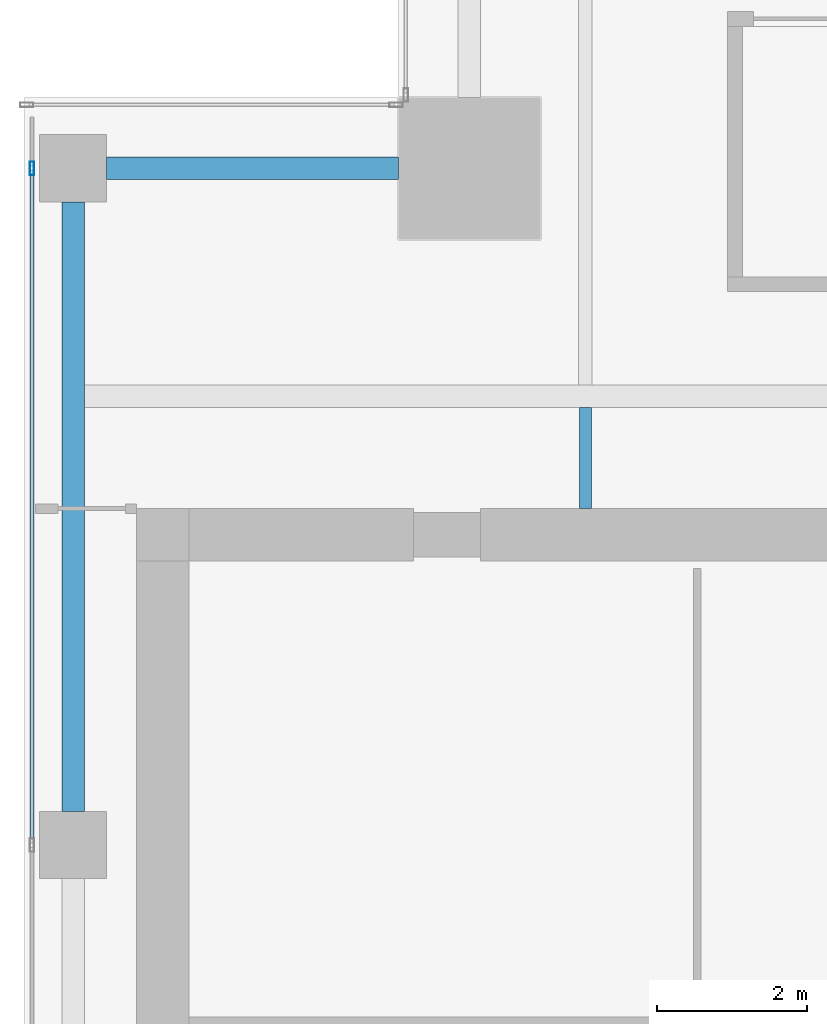
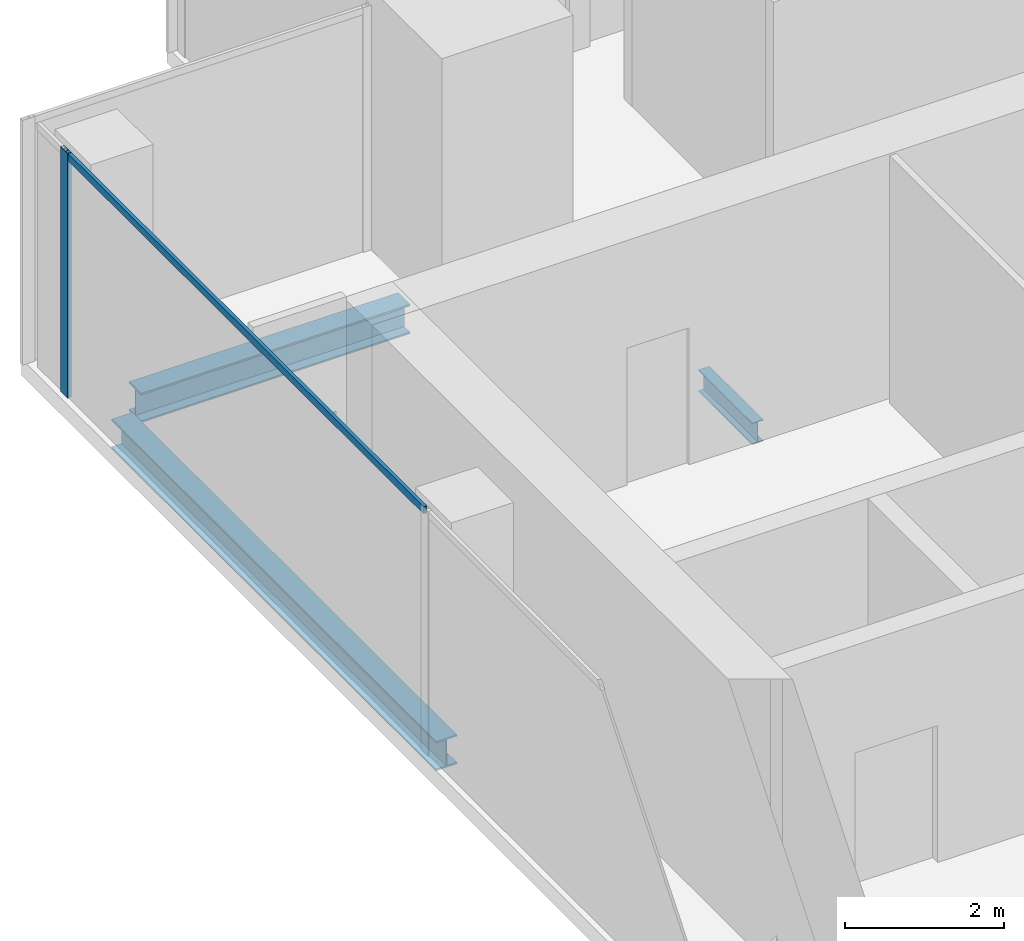
# One storey, part 16 of 36: 3 beams, 2 members, 1 element without a shape of its own.
"""IFC4 building model written with IfcOpenShell, lengths in metres."""

import ifcopenshell
import ifcopenshell.guid

model = None  # the IFC model being written
_history = None  # IfcOwnerHistory: only IFC2X3 demands one
_inside = {}  # id of a spatial element -> (the spatial element, [elements in it])
_under = {}  # id of a project, library or spatial element -> (it, [spatial elements below it])
_declared = {}  # id of a project -> (the project, [libraries it declares])
_typed = {}  # id of a type object -> (the type object, [elements of that type])
_made_of = {}  # id of a material, layer set ... -> (it, [elements and type objects made of it])


def new_model(schema):
    """Start an empty IFC model of exactly this schema.

    Asked for "IFC4X3", IfcOpenShell would pick the latest addendum, in which some entities
    have other attributes; the version numbers below select the first issue.
    IFC2X3 requires an IfcOwnerHistory on every rooted entity: one is made here for all.
    """
    global model, _history
    if schema == "IFC4X3":
        model = ifcopenshell.file(schema_version=(4, 3, 0, 0))
    else:
        model = ifcopenshell.file(schema=schema)
    _inside.clear()
    _under.clear()
    _declared.clear()
    _typed.clear()
    _made_of.clear()
    _history = None
    if model.schema == "IFC2X3":
        org = make("IfcOrganization", Name="unknown")
        user = make(
            "IfcPersonAndOrganization",
            ThePerson=make("IfcPerson", FamilyName="unknown"),
            TheOrganization=org,
        )
        app = make(
            "IfcApplication",
            ApplicationDeveloper=org,
            Version="unknown",
            ApplicationFullName="unknown",
            ApplicationIdentifier="unknown",
        )
        _history = make(
            "IfcOwnerHistory",
            OwningUser=user,
            OwningApplication=app,
            ChangeAction="ADDED",
            CreationDate=0,
        )
    return model


def make(cls, **values):
    """One entity of the class cls with the attributes given. An attribute that is None is left unset."""
    return model.create_entity(
        cls, **{name: value for name, value in values.items() if value is not None}
    )


def rooted(cls, **values):
    """An entity with a GlobalId (a new one), such as an element, a storey or a relation."""
    return make(cls, GlobalId=ifcopenshell.guid.new(), OwnerHistory=_history, **values)


def si_unit(unit_type, name, prefix=None):
    """IfcSIUnit, for example si_unit("LENGTHUNIT", "METRE", prefix="MILLI")."""
    return make("IfcSIUnit", UnitType=unit_type, Prefix=prefix, Name=name)


def assignment(units):
    """IfcUnitAssignment: the units of a project."""
    return None if units is None else make("IfcUnitAssignment", Units=units)


def point(xyz):
    """IfcCartesianPoint."""
    return None if xyz is None else make("IfcCartesianPoint", Coordinates=xyz)


def direction(xyz):
    """IfcDirection."""
    return None if xyz is None else make("IfcDirection", DirectionRatios=xyz)


def frame(location, z_axis=None, x_axis=None):
    """IfcAxis2Placement3D, a coordinate frame: its origin and axes. An axis left out is left unset."""
    return make(
        "IfcAxis2Placement3D",
        Location=point(location),
        Axis=direction(z_axis),
        RefDirection=direction(x_axis),
    )


def frame_2d(location, x_axis=None):
    """IfcAxis2Placement2D, a coordinate frame in the plane: its origin and x axis."""
    return make(
        "IfcAxis2Placement2D", Location=point(location), RefDirection=direction(x_axis)
    )


def origin():
    """The frame at (0, 0, 0) with its axes left unset."""
    return frame((0.0, 0.0, 0.0))


def origin_2d():
    """The frame at (0, 0) in the plane with its x axis left unset."""
    return frame_2d((0.0, 0.0))


def place(relative_to, where):
    """IfcLocalPlacement: puts the frame where relative to a parent placement (None: the world)."""
    return make(
        "IfcLocalPlacement", PlacementRelTo=relative_to, RelativePlacement=where
    )


def context(
    kind, dimensions, precision=None, world=None, true_north=None, identifier=None
):
    """IfcGeometricRepresentationContext, for example the 3D "Model" context."""
    return make(
        "IfcGeometricRepresentationContext",
        ContextIdentifier=identifier,
        ContextType=kind,
        CoordinateSpaceDimension=dimensions,
        Precision=precision,
        WorldCoordinateSystem=world,
        TrueNorth=true_north,
    )


def subcontext(parent, identifier, kind, view, scale=None):
    """IfcGeometricRepresentationSubContext, for example "Body" below "Model"."""
    return make(
        "IfcGeometricRepresentationSubContext",
        ContextIdentifier=identifier,
        ContextType=kind,
        ParentContext=parent,
        TargetScale=scale,
        TargetView=view,
    )


def project(units=None, contexts=None):
    """IfcProject with its units and contexts."""
    return rooted(
        "IfcProject",
        Name="project",
        RepresentationContexts=contexts,
        UnitsInContext=assignment(units),
    )


def spatial(cls, under=None, at=None, **own):
    """A site, building, storey or space (cls), placed at a placement, below another one or the project."""
    s = rooted(cls, ObjectPlacement=at, **own)
    if under is not None:
        _under.setdefault(under.id(), (under, []))[1].append(s)
    return s


def profile(cls, at=None, kind="AREA", **sizes):
    """A parametric profile (cls). Its sizes go by their IFC names, for example OverallWidth=200.0."""
    return make(cls, ProfileType=kind, Position=at, **sizes)


def hollow_rectangle(**sizes):
    """IfcRectangleHollowProfileDef."""
    return profile("IfcRectangleHollowProfileDef", **sizes)


def i_section(**sizes):
    """IfcIShapeProfileDef."""
    return profile("IfcIShapeProfileDef", **sizes)


def extrude(swept, where, along, depth):
    """IfcExtrudedAreaSolid: the profile swept, set in the frame where, extruded along a direction by depth."""
    return make(
        "IfcExtrudedAreaSolid",
        SweptArea=swept,
        Position=where,
        ExtrudedDirection=direction(along),
        Depth=depth,
    )


def shape(context_of_items, identifier, shape_type, items):
    """IfcShapeRepresentation: the items that make up one representation, for example the "Body"."""
    return make(
        "IfcShapeRepresentation",
        ContextOfItems=context_of_items,
        RepresentationIdentifier=identifier,
        RepresentationType=shape_type,
        Items=items,
    )


def source(mapping_origin, context_of_items, identifier, shape_type, items):
    """IfcRepresentationMap: a shape defined once, which mapped items show again and again."""
    return make(
        "IfcRepresentationMap",
        MappingOrigin=mapping_origin,
        MappedRepresentation=shape(context_of_items, identifier, shape_type, items),
    )


def transform(
    local_origin,
    x_axis=None,
    y_axis=None,
    z_axis=None,
    scale=None,
    scale2=None,
    scale3=None,
    uniform=True,
):
    """IfcCartesianTransformationOperator3D, or its non-uniform kind. x_axis, y_axis, z_axis: its Axis1, 2, 3."""
    if uniform:
        return make(
            "IfcCartesianTransformationOperator3D",
            Axis1=direction(x_axis),
            Axis2=direction(y_axis),
            LocalOrigin=point(local_origin),
            Scale=scale,
            Axis3=direction(z_axis),
        )
    return make(
        "IfcCartesianTransformationOperator3DnonUniform",
        Axis1=direction(x_axis),
        Axis2=direction(y_axis),
        LocalOrigin=point(local_origin),
        Scale=scale,
        Axis3=direction(z_axis),
        Scale2=scale2,
        Scale3=scale3,
    )


def mapped(mapping_source, mapping_target):
    """IfcMappedItem: shows the shape of a source again, moved by a transform."""
    return make(
        "IfcMappedItem", MappingSource=mapping_source, MappingTarget=mapping_target
    )


def material(Name=None, Category=None):
    """IfcMaterial."""
    return make("IfcMaterial", Name=Name, Category=Category)


def material_profile(
    of_material, cross_section, Name=None, Category=None, Priority=None
):
    """IfcMaterialProfile: a cross section and its material."""
    return make(
        "IfcMaterialProfile",
        Name=Name,
        Material=of_material,
        Profile=cross_section,
        Priority=Priority,
        Category=Category,
    )


def profile_set(profiles, Name=None, composite=None):
    """IfcMaterialProfileSet."""
    return make(
        "IfcMaterialProfileSet",
        Name=Name,
        MaterialProfiles=profiles,
        CompositeProfile=composite,
    )


def made_of(thing, what):
    """Note that an element or type object is made of a material, layer set ...; save() writes the relation."""
    if what is not None:
        _made_of.setdefault(what.id(), (what, []))[1].append(thing)
    return thing


def type_object(cls, material=None, **own):
    """A type object (cls), such as IfcWallType, which elements share."""
    return made_of(rooted(cls, **own), material)


def element(
    cls,
    number,
    at=None,
    inside=None,
    cuts=None,
    type_object=None,
    material=None,
    context=None,
    identifier="Body",
    shape_type=None,
    held_by="IfcProductDefinitionShape",
    body=None,
    shapes=None,
    **own,
):
    """One element of the class cls, such as IfcWall. Its Tag is "e" and its number.

    at: its placement. inside: the storey or other place that contains it. cuts: it is an
    opening in that element (IfcRelVoidsElement). A single representation is given by context,
    identifier, shape_type and body (its items); several are given by shapes. held_by: the class
    of the entity that holds the representations. save() writes the other relations.
    """
    e = rooted(cls, Tag="e%d" % number, ObjectPlacement=at, **own)
    if body is not None:
        shapes = [shape(context, identifier, shape_type, body)]
    if shapes is not None:
        e.Representation = make(held_by, Representations=shapes)
    if inside is not None:
        _inside.setdefault(inside.id(), (inside, []))[1].append(e)
    if cuts is not None:
        rooted(
            "IfcRelVoidsElement", RelatingBuildingElement=cuts, RelatedOpeningElement=e
        )
    if type_object is not None:
        _typed.setdefault(type_object.id(), (type_object, []))[1].append(e)
    return made_of(e, material)


def aggregate(whole, parts):
    """IfcRelAggregates: a whole, such as a stair, and the parts it consists of."""
    return rooted("IfcRelAggregates", RelatingObject=whole, RelatedObjects=parts)


def save(model, path):
    """Write the relations noted so far, then the file.

    IfcRelAggregates (storeys below a building ...), IfcRelContainedInSpatialStructure (elements
    in a storey), IfcRelDefinesByType, IfcRelAssociatesMaterial and IfcRelDeclares: one each for
    every whole, place, type object, material and project.
    """
    for whole, parts in _under.values():
        aggregate(whole, parts)
    for where, things in _inside.values():
        rooted(
            "IfcRelContainedInSpatialStructure",
            RelatedElements=things,
            RelatingStructure=where,
        )
    for kind, things in _typed.values():
        rooted("IfcRelDefinesByType", RelatedObjects=things, RelatingType=kind)
    for what, things in _made_of.values():
        rooted("IfcRelAssociatesMaterial", RelatedObjects=things, RelatingMaterial=what)
    for by, libraries in _declared.values():
        rooted("IfcRelDeclares", RelatingContext=by, RelatedDefinitions=libraries)
    model.write(path)


model = new_model("IFC4")

# Units and contexts
model_context = context("Model", 3, precision=1e-05, world=origin(), true_north=direction((0.0, 1.0)))
body_context = subcontext(model_context, "Body", "Model", "MODEL_VIEW")
ifc_project = project(units=[si_unit("LENGTHUNIT", "METRE"), si_unit("AREAUNIT", "SQUARE_METRE"), si_unit("VOLUMEUNIT", "CUBIC_METRE"), si_unit("PLANEANGLEUNIT", "RADIAN"), si_unit("MASSUNIT", "GRAM", prefix="KILO")], contexts=[model_context])

# Site, building, storey
site_placement = place(None, origin())
site = spatial("IfcSite", under=ifc_project, at=site_placement, CompositionType="ELEMENT")
building_placement = place(site_placement, origin())
building = spatial("IfcBuilding", under=site, at=building_placement, Name="Khomas Fold Tower", CompositionType="ELEMENT")
storey_placement = place(building_placement, frame((0.0, 0.0, 226.199951171875)))
storey = spatial("IfcBuildingStorey", under=building, at=storey_placement, Name="L50", CompositionType="ELEMENT", Elevation=226.199951171875)

# Beams
ifc_material_1 = material(Name="Steel S355", Category="steel")
ifc_material_profile_1 = material_profile(ifc_material_1, i_section(OverallWidth=0.159912109375, OverallDepth=0.330078125, WebThickness=0.007568359375, FlangeThickness=0.011474609375, at=origin_2d()), Name="IPE 330")
ifc_profile_set_1 = profile_set([ifc_material_profile_1], Name="Steel S355")
beam_type_1 = type_object("IfcBeamType", Name="IPE 330 beam JB1", PredefinedType="BEAM", material=ifc_profile_set_1)
shared_shape_1 = source(origin(), body_context, "Body", "SweptSolid", [
    extrude(i_section(OverallWidth=0.159912109375, OverallDepth=0.330078125, WebThickness=0.007568359375, FlangeThickness=0.011474609375, at=origin_2d()), origin(), (0.0, 0.0, 1.0), 1.35009765625),
])
beam_1_placement = place(storey_placement, frame((12.0, 39.0, -0.4150390625), z_axis=(0.0, 1.0, 0.0), x_axis=(-1.0, 0.0, 0.0)))
element("IfcBeam", 1, at=beam_1_placement, inside=storey, type_object=beam_type_1, Name="JB1", PredefinedType="BEAM", context=body_context, shape_type="MappedRepresentation", body=[
    mapped(shared_shape_1, transform((0.0, 0.0, 0.0))),
])
ifc_material_2 = material(Name="Steel S355", Category="steel")
ifc_material_profile_2 = material_profile(ifc_material_2, i_section(OverallWidth=0.300048828125, OverallDepth=0.449951171875, WebThickness=0.013916015625, FlangeThickness=0.02587890625, at=origin_2d()), Name="HE 450 B")
ifc_profile_set_2 = profile_set([ifc_material_profile_2], Name="Steel S355")
beam_type_2 = type_object("IfcBeamType", Name="HE 450 B spandrel SB4", PredefinedType="SPANDREL", material=ifc_profile_set_2)
shared_shape_2 = source(origin(), body_context, "Body", "SweptSolid", [
    extrude(i_section(OverallWidth=0.300048828125, OverallDepth=0.449951171875, WebThickness=0.013916015625, FlangeThickness=0.02587890625, at=origin_2d()), origin(), (0.0, 0.0, 1.0), 8.150146484375),
])
beam_2_placement = place(storey_placement, frame((5.14990234375, 34.949951171875, -0.474853515625), z_axis=(0.0, 1.0, 0.0), x_axis=(-1.0, 0.0, 0.0)))
element("IfcBeam", 2, at=beam_2_placement, inside=storey, type_object=beam_type_2, Name="SB4", PredefinedType="SPANDREL", context=body_context, shape_type="MappedRepresentation", body=[
    mapped(shared_shape_2, transform((0.0, 0.0, 0.0))),
])
shared_shape_3 = source(origin(), body_context, "Body", "SweptSolid", [
    extrude(i_section(OverallWidth=0.300048828125, OverallDepth=0.449951171875, WebThickness=0.013916015625, FlangeThickness=0.02587890625, at=origin_2d()), origin(), (0.0, 0.0, 1.0), 3.89990234375),
])
beam_3_placement = place(storey_placement, frame((5.60009765625, 43.550048828125, -0.474853515625), z_axis=(1.0, 0.0, 0.0), x_axis=(0.0, 1.0, 0.0)))
element("IfcBeam", 3, at=beam_3_placement, inside=storey, type_object=beam_type_2, Name="SB4", PredefinedType="SPANDREL", context=body_context, shape_type="MappedRepresentation", body=[
    mapped(shared_shape_3, transform((0.0, 0.0, 0.0))),
])

# Curtain wall, members
ifc_material_3 = material(Name="Aluminium framed double glazing", Category="aluminium")
curtain_wall_type = type_object("IfcCurtainWallType", Name="SK-Unitised clear-glass wall, office floors CW2", PredefinedType="NOTDEFINED", material=ifc_material_3)
curtain_wall_placement = place(storey_placement, origin())
curtain_wall = element("IfcCurtainWall", 4, at=curtain_wall_placement, inside=storey, type_object=curtain_wall_type, Name="CW2 run L50 09-0", PredefinedType="NOTDEFINED")
ifc_material_4 = material(Name="Aluminium", Category="aluminium")
ifc_material_profile_3 = material_profile(ifc_material_4, hollow_rectangle(XDim=0.06005859375, YDim=0.179931640625, WallThickness=0.00390625, at=origin_2d()), Name="SK-Unitised clear-glass wall, office floors mullion CW2-M")
ifc_profile_set_3 = profile_set([ifc_material_profile_3], Name="Aluminium")
member_type_1 = type_object("IfcMemberType", Name="SK-Unitised clear-glass wall, office floors mullion CW2-M", PredefinedType="MULLION", material=ifc_profile_set_3)
shared_shape_4 = source(origin(), body_context, "Body", "SweptSolid", [
    extrude(hollow_rectangle(XDim=0.06005859375, YDim=0.179931640625, WallThickness=0.00390625, at=origin_2d()), origin(), (0.0, 0.0, 1.0), 3.75),
])
member_1_placement = place(storey_placement, frame((4.60009765625, 43.550048828125, 0.0), z_axis=(0.0, 0.0, 1.0), x_axis=(1.0, 0.0, 0.0)))
member_1 = element("IfcMember", 5, at=member_1_placement, type_object=member_type_1, Name="CW2 mullion 2", PredefinedType="MULLION", context=body_context, shape_type="MappedRepresentation", body=[
    mapped(shared_shape_4, transform((0.0, 0.0, 0.0))),
])
ifc_material_5 = material(Name="Aluminium", Category="aluminium")
ifc_material_profile_4 = material_profile(ifc_material_5, hollow_rectangle(XDim=0.050048828125, YDim=0.110107421875, WallThickness=0.00390625, at=origin_2d()), Name="SK-Unitised clear-glass wall, office floors transom CW2-T")
ifc_profile_set_4 = profile_set([ifc_material_profile_4], Name="Aluminium")
member_type_2 = type_object("IfcMemberType", Name="SK-Unitised clear-glass wall, office floors transom CW2-T", PredefinedType="USERDEFINED", material=ifc_profile_set_4)
shared_shape_5 = source(origin(), body_context, "Body", "SweptSolid", [
    extrude(hollow_rectangle(XDim=0.050048828125, YDim=0.110107421875, WallThickness=0.00390625, at=origin_2d()), origin(), (0.0, 0.0, 1.0), 8.989990234375),
])
member_2_placement = place(storey_placement, frame((4.60009765625, 43.52001953125, 3.695068359375), z_axis=(0.0, -1.0, 0.0), x_axis=(1.0, 0.0, 0.0)))
member_2 = element("IfcMember", 6, at=member_2_placement, type_object=member_type_2, Name="CW2 transom 2", ObjectType="TRANSOM", PredefinedType="USERDEFINED", context=body_context, shape_type="MappedRepresentation", body=[
    mapped(shared_shape_5, transform((0.0, 0.0, 0.0))),
])
aggregate(curtain_wall, [member_1, member_2])

save(model, "model.ifc")
